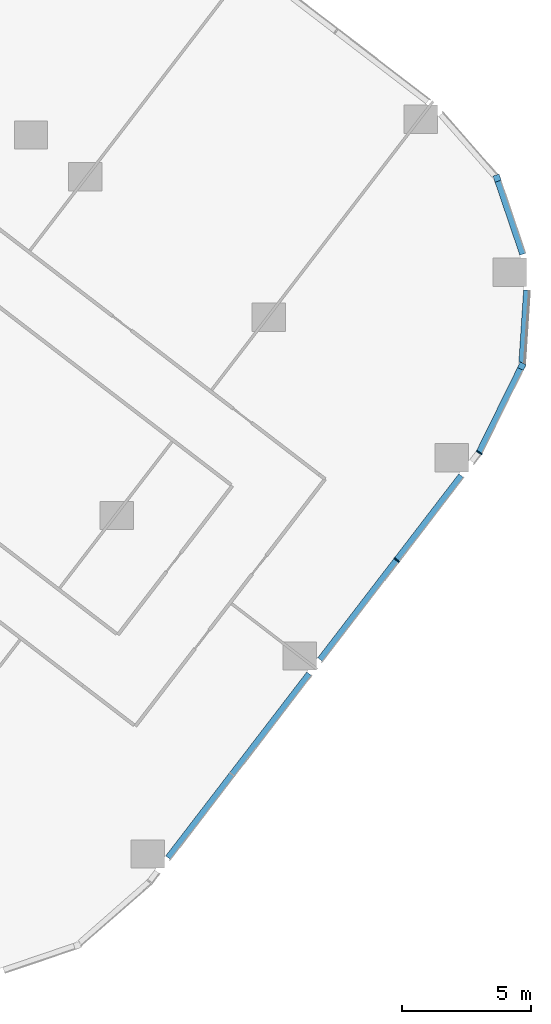
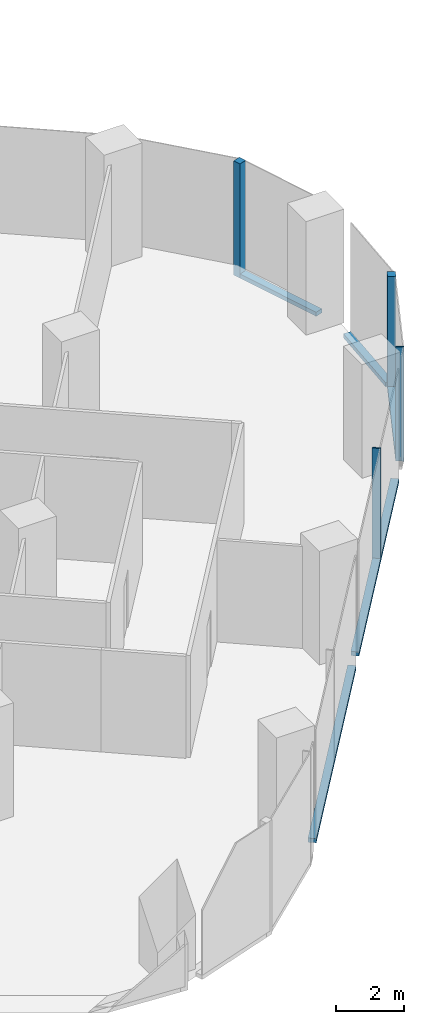
# One storey, part 8 of 29: 9 members, 4 elements without a shape of their own.
"""IFC4 building model written with IfcOpenShell, lengths in metres."""

from ifc_helpers import new_model, si_unit, direction, frame, origin, origin_2d, place, context, subcontext, project, spatial, rectangle, extrude, material, material_profile, profile_set, type_object, element, aggregate, save


model = new_model("IFC4")

# Units and contexts
model_context = context("Model", 3, precision=1e-05, world=origin(), true_north=direction((0.0, 1.0)))
body_context = subcontext(model_context, "Body", "Model", "MODEL_VIEW")
ifc_project = project(units=[si_unit("LENGTHUNIT", "METRE"), si_unit("AREAUNIT", "SQUARE_METRE"), si_unit("VOLUMEUNIT", "CUBIC_METRE"), si_unit("PLANEANGLEUNIT", "RADIAN"), si_unit("MASSUNIT", "GRAM", prefix="KILO")], contexts=[model_context])

# Site, building, storey
site_placement = place(None, origin())
site = spatial("IfcSite", under=ifc_project, at=site_placement, CompositionType="ELEMENT")
building_placement = place(site_placement, origin())
building = spatial("IfcBuilding", under=site, at=building_placement, Name="Orlundy Tower", CompositionType="ELEMENT")
storey_placement = place(building_placement, frame((0.0, 0.0, 25.10009765625)))
storey = spatial("IfcBuildingStorey", under=building, at=storey_placement, Name="L04", CompositionType="ELEMENT", Elevation=25.10009765625)

# Curtain wall, member
ifc_material_1 = material(Name="Aluminium bronze anodised", Category="aluminium")
curtain_wall_type = type_object("IfcCurtainWallType", Name="CW2 wall", PredefinedType="NOTDEFINED", material=ifc_material_1)
curtain_wall_1_placement = place(storey_placement, origin())
curtain_wall_1 = element("IfcCurtainWall", 1, at=curtain_wall_1_placement, inside=storey, type_object=curtain_wall_type, Name="CW2 run 020", PredefinedType="NOTDEFINED")
ifc_material_2 = material(Name="Aluminium bronze anodised", Category="aluminium")
ifc_material_profile_1 = material_profile(ifc_material_2, rectangle(XDim=0.25, YDim=0.25, at=origin_2d()), Name="CW2 corner post 250x250")
ifc_profile_set_1 = profile_set([ifc_material_profile_1], Name="Aluminium bronze anodised")
member_type_1 = type_object("IfcMemberType", Name="CW2 corner post 250x250", PredefinedType="MULLION", material=ifc_profile_set_1)
member_1_placement = place(storey_placement, frame((55.1904296875, -17.9033203125, -0.420166015625), z_axis=(0.0, 0.0, 1.0), x_axis=(0.946887788144, 0.321564171921, 0.0)))
member_1 = element("IfcMember", 2, at=member_1_placement, type_object=member_type_1, Name="CW2 mullion 58", PredefinedType="MULLION", context=body_context, shape_type="SweptSolid", body=[
    extrude(rectangle(XDim=0.25, YDim=0.25, at=origin_2d()), origin(), (0.0, 0.0, 1.0), 4.1201171875),
])

curtain_wall_2_placement = place(storey_placement, origin())
curtain_wall_2 = element("IfcCurtainWall", 3, at=curtain_wall_2_placement, inside=storey, type_object=curtain_wall_type, Name="CW2 run 022", PredefinedType="NOTDEFINED")
member_2_placement = place(storey_placement, frame((56.152099609375, -25.2080078125, -0.420166015625), z_axis=(0.0, 0.0, 1.0), x_axis=(0.896948547323, -0.442134938063, 0.0)))
member_2 = element("IfcMember", 4, at=member_2_placement, type_object=member_type_1, Name="CW2 mullion 60", PredefinedType="MULLION", context=body_context, shape_type="SweptSolid", body=[
    extrude(rectangle(XDim=0.25, YDim=0.25, at=origin_2d()), origin(), (0.0, 0.0, 1.0), 4.1201171875),
])

# Curtain wall, members
curtain_wall_3_placement = place(storey_placement, origin())
curtain_wall_3 = element("IfcCurtainWall", 5, at=curtain_wall_3_placement, inside=storey, type_object=curtain_wall_type, Name="CW2 run 023", PredefinedType="NOTDEFINED")
ifc_material_3 = material(Name="Aluminium bronze anodised", Category="aluminium")
ifc_material_profile_2 = material_profile(ifc_material_3, rectangle(XDim=0.25, YDim=0.050048828125, at=origin_2d()), Name="CW2 mullion 50x250")
ifc_profile_set_2 = profile_set([ifc_material_profile_2], Name="Aluminium bronze anodised")
member_type_2 = type_object("IfcMemberType", Name="CW2 mullion 50x250", PredefinedType="MULLION", material=ifc_profile_set_2)
member_3_placement = place(storey_placement, frame((54.49658203125, -28.56640625, -0.420166015625), z_axis=(0.0, 0.0, 1.0), x_axis=(0.849244125141, -0.528000393858, 0.0)))
member_3 = element("IfcMember", 6, at=member_3_placement, type_object=member_type_2, Name="CW2 mullion 61", PredefinedType="MULLION", context=body_context, shape_type="SweptSolid", body=[
    extrude(rectangle(XDim=0.25, YDim=0.050048828125, at=origin_2d()), origin(), (0.0, 0.0, 1.0), 4.1201171875),
])
member_4_placement = place(storey_placement, frame((51.293212890625, -32.7412109375, -0.420166015625), z_axis=(0.0, 0.0, 1.0), x_axis=(0.793345695949, -0.60877139118, 0.0)))
member_4 = element("IfcMember", 7, at=member_4_placement, type_object=member_type_2, Name="CW2 mullion 62", PredefinedType="MULLION", context=body_context, shape_type="SweptSolid", body=[
    extrude(rectangle(XDim=0.25, YDim=0.050048828125, at=origin_2d()), origin(), (0.0, 0.0, 1.0), 4.1201171875),
])

# Member
ifc_material_4 = material(Name="Aluminium bronze anodised", Category="aluminium")
ifc_material_profile_3 = material_profile(ifc_material_4, rectangle(XDim=0.25, YDim=0.14990234375, at=origin_2d()), Name="CW2 transom 250x150")
ifc_profile_set_3 = profile_set([ifc_material_profile_3], Name="Aluminium bronze anodised")
member_type_3 = type_object("IfcMemberType", Name="CW2 transom 250x150", PredefinedType="USERDEFINED", material=ifc_profile_set_3)
member_5_placement = place(storey_placement, frame((55.23046875, -18.021728515625, -0.34521484375), z_axis=(0.321632114973, -0.946864711888, 0.0), x_axis=(0.946864711888, 0.321632114973, 0.0)))
member_5 = element("IfcMember", 8, at=member_5_placement, type_object=member_type_3, Name="CW2 transom", ObjectType="TRANSOM", PredefinedType="USERDEFINED", context=body_context, shape_type="SweptSolid", body=[
    extrude(rectangle(XDim=0.25, YDim=0.14990234375, at=origin_2d()), origin(), (0.0, 0.0, 1.0), 2.9921875),
])

aggregate(curtain_wall_1, [member_1, member_5])

# Curtain wall, member
curtain_wall_4_placement = place(storey_placement, origin())
curtain_wall_4 = element("IfcCurtainWall", 9, at=curtain_wall_4_placement, inside=storey, type_object=curtain_wall_type, Name="CW2 run 021", PredefinedType="NOTDEFINED")
member_6_placement = place(storey_placement, frame((56.34619140625, -22.2548828125, -0.34521484375), z_axis=(-0.065612448488, -0.997845181681, 0.0), x_axis=(0.997845181681, -0.065612448488, 0.0)))
member_6 = element("IfcMember", 10, at=member_6_placement, type_object=member_type_3, Name="CW2 transom", ObjectType="TRANSOM", PredefinedType="USERDEFINED", context=body_context, shape_type="SweptSolid", body=[
    extrude(rectangle(XDim=0.25, YDim=0.14990234375, at=origin_2d()), origin(), (0.0, 0.0, 1.0), 2.82421875),
])
aggregate(curtain_wall_4, [member_6])

# Member
member_7_placement = place(storey_placement, frame((56.096923828125, -25.320068359375, -0.34521484375), z_axis=(-0.442152508269, -0.896939886186, 0.0), x_axis=(0.896939886186, -0.442152508269, 0.0)))
member_7 = element("IfcMember", 11, at=member_7_placement, type_object=member_type_3, Name="CW2 transom", ObjectType="TRANSOM", PredefinedType="USERDEFINED", context=body_context, shape_type="SweptSolid", body=[
    extrude(rectangle(XDim=0.25, YDim=0.14990234375, at=origin_2d()), origin(), (0.0, 0.0, 1.0), 3.593994140625),
])

aggregate(curtain_wall_2, [member_2, member_7])

member_8_placement = place(storey_placement, frame((53.803955078125, -29.468994140625, -0.34521484375), z_axis=(-0.608769580289, -0.793347085527, 0.0), x_axis=(0.793347085527, -0.608769580289, 0.0)))
member_8 = element("IfcMember", 12, at=member_8_placement, type_object=member_type_3, Name="CW2 transom", ObjectType="TRANSOM", PredefinedType="USERDEFINED", context=body_context, shape_type="SweptSolid", body=[
    extrude(rectangle(XDim=0.25, YDim=0.14990234375, at=origin_2d()), origin(), (0.0, 0.0, 1.0), 9.0048828125),
])

member_9_placement = place(storey_placement, frame((47.8984375, -37.1650390625, -0.34521484375), z_axis=(-0.608774734676, -0.793343130317, 0.0), x_axis=(0.793343130317, -0.608774734676, 0.0)))
member_9 = element("IfcMember", 13, at=member_9_placement, type_object=member_type_3, Name="CW2 transom", ObjectType="TRANSOM", PredefinedType="USERDEFINED", context=body_context, shape_type="SweptSolid", body=[
    extrude(rectangle(XDim=0.25, YDim=0.14990234375, at=origin_2d()), origin(), (0.0, 0.0, 1.0), 9.004150390625),
])

aggregate(curtain_wall_3, [member_3, member_4, member_8, member_9])

save(model, "model.ifc")
